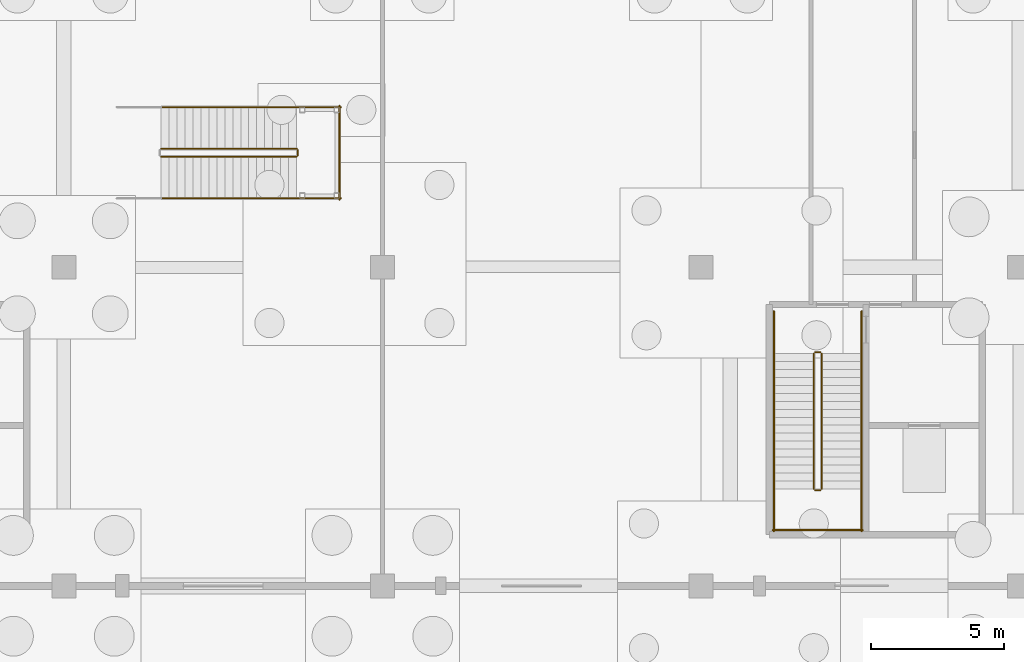
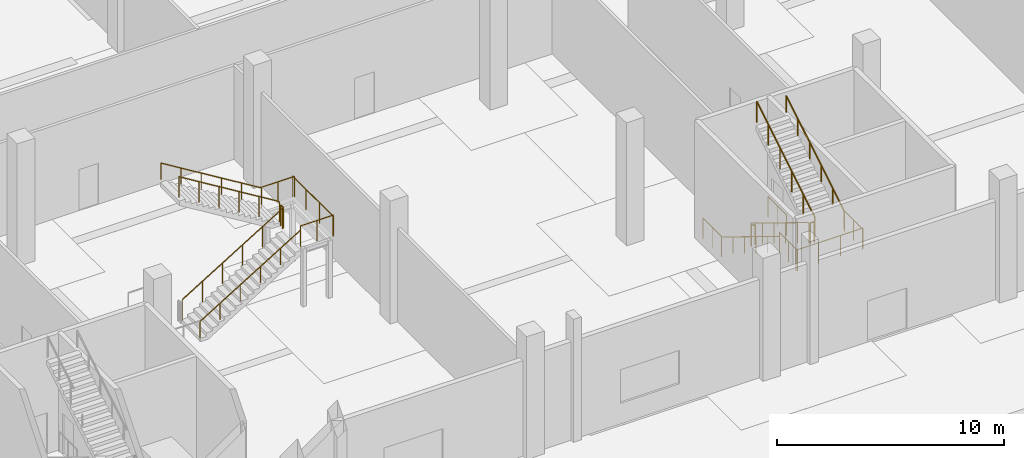
# One storey, part 108 of 117: 19 railings.
"""IFC4 building model written with IfcOpenShell, lengths in metres."""

from ifc_helpers import new_model, si_unit, direction, frame, origin, origin_2d, place, context, subcontext, project, spatial, circle, extrude, material, type_object, element, save


model = new_model("IFC4")

# Units and contexts
model_context = context("Model", 3, precision=1e-05, world=origin(), true_north=direction((0.0, 1.0)))
body_context = subcontext(model_context, "Body", "Model", "MODEL_VIEW")
ifc_project = project(units=[si_unit("LENGTHUNIT", "METRE"), si_unit("AREAUNIT", "SQUARE_METRE"), si_unit("VOLUMEUNIT", "CUBIC_METRE"), si_unit("PLANEANGLEUNIT", "RADIAN"), si_unit("MASSUNIT", "GRAM", prefix="KILO")], contexts=[model_context])

# Site, building, storey
site_placement = place(None, origin())
site = spatial("IfcSite", under=ifc_project, at=site_placement, CompositionType="ELEMENT")
building_placement = place(site_placement, origin())
building = spatial("IfcBuilding", under=site, at=building_placement, Name="Kamomehara Wholesale Market", CompositionType="ELEMENT")
storey_placement = place(building_placement, origin())
storey = spatial("IfcBuildingStorey", under=building, at=storey_placement, Name="L00", CompositionType="ELEMENT", Elevation=0.0)

# Railings
ifc_material_1 = material(Name="Steel SN400B", Category="steel")
railing_type_1 = type_object("IfcRailingType", Name="RAL-HND-900", PredefinedType="HANDRAIL", material=ifc_material_1)
railing_1_placement = place(storey_placement, frame((146.75, 20.75, 0.183349609375)))
element("IfcRailing", 1, at=railing_1_placement, inside=storey, type_object=railing_type_1, Name="L00 ST-08 stair handrail 1", PredefinedType="HANDRAIL", context=body_context, shape_type="SweptSolid", body=[
    extrude(circle(Radius=0.02392578125, at=origin_2d()), frame((0.0, 0.0, 0.8759765625), z_axis=(0.0, -0.853283853024, 0.521446705012), x_axis=(1.0, 0.0, 0.0)), (0.0, 0.0, 1.0), 5.97705078125),
    extrude(circle(Radius=0.02099609375, at=origin_2d()), origin(), (0.0, 0.0, 1.0), 0.851806640625),
    extrude(circle(Radius=0.02099609375, at=origin_2d()), frame((0.0, -1.02001953125, 0.623291015625)), (0.0, 0.0, 1.0), 0.851806640625),
    extrude(circle(Radius=0.02099609375, at=origin_2d()), frame((0.0, -2.0400390625, 1.24658203125)), (0.0, 0.0, 1.0), 0.851806640625),
    extrude(circle(Radius=0.02099609375, at=origin_2d()), frame((0.0, -3.06005859375, 1.8701171875)), (0.0, 0.0, 1.0), 0.851806640625),
    extrude(circle(Radius=0.02099609375, at=origin_2d()), frame((0.0, -4.080078125, 2.493408203125)), (0.0, 0.0, 1.0), 0.851806640625),
    extrude(circle(Radius=0.02099609375, at=origin_2d()), frame((0.0, -5.10009765625, 3.11669921875)), (0.0, 0.0, 1.0), 0.851806640625),
])
railing_2_placement = place(storey_placement, frame((150.050048828125, 15.64990234375, 3.4833984375)))
element("IfcRailing", 2, at=railing_2_placement, inside=storey, type_object=railing_type_1, Name="L00 ST-08 stair handrail 2", PredefinedType="HANDRAIL", context=body_context, shape_type="SweptSolid", body=[
    extrude(circle(Radius=0.02392578125, at=origin_2d()), frame((0.0, 0.0, 0.8759765625), z_axis=(0.0, 0.853283853024, 0.521446705012), x_axis=(-1.0, 0.0, 0.0)), (0.0, 0.0, 1.0), 5.97705078125),
    extrude(circle(Radius=0.02099609375, at=origin_2d()), origin(), (0.0, 0.0, 1.0), 0.851806640625),
    extrude(circle(Radius=0.02099609375, at=origin_2d()), frame((0.0, 1.02001953125, 0.623291015625)), (0.0, 0.0, 1.0), 0.851806640625),
    extrude(circle(Radius=0.02099609375, at=origin_2d()), frame((0.0, 2.0400390625, 1.24658203125)), (0.0, 0.0, 1.0), 0.851806640625),
    extrude(circle(Radius=0.02099609375, at=origin_2d()), frame((0.0, 3.06005859375, 1.8701171875)), (0.0, 0.0, 1.0), 0.851806640625),
    extrude(circle(Radius=0.02099609375, at=origin_2d()), frame((0.0, 4.080078125, 2.493408203125)), (0.0, 0.0, 1.0), 0.851806640625),
    extrude(circle(Radius=0.02099609375, at=origin_2d()), frame((0.0, 5.10009765625, 3.11669921875)), (0.0, 0.0, 1.0), 0.851806640625),
])
railing_3_placement = place(storey_placement, frame((123.6650390625, 26.60009765625, 0.183349609375)))
element("IfcRailing", 3, at=railing_3_placement, inside=storey, type_object=railing_type_1, Name="L00 ST-17 stair handrail 1", PredefinedType="HANDRAIL", context=body_context, shape_type="SweptSolid", body=[
    extrude(circle(Radius=0.02392578125, at=origin_2d()), frame((0.0, 0.0, 0.8759765625), z_axis=(0.853272746002, 0.0, 0.521464879863), x_axis=(0.0, 1.0, 0.0)), (0.0, 0.0, 1.0), 5.976806640625),
    extrude(circle(Radius=0.02099609375, at=origin_2d()), origin(), (0.0, 0.0, 1.0), 0.851806640625),
    extrude(circle(Radius=0.02099609375, at=origin_2d()), frame((1.02001953125, 0.0, 0.623291015625)), (0.0, 0.0, 1.0), 0.851806640625),
    extrude(circle(Radius=0.02099609375, at=origin_2d()), frame((2.0400390625, 0.0, 1.24658203125)), (0.0, 0.0, 1.0), 0.851806640625),
    extrude(circle(Radius=0.02099609375, at=origin_2d()), frame((3.059814453125, 0.0, 1.8701171875)), (0.0, 0.0, 1.0), 0.851806640625),
    extrude(circle(Radius=0.02099609375, at=origin_2d()), frame((4.079833984375, 0.0, 2.493408203125)), (0.0, 0.0, 1.0), 0.851806640625),
    extrude(circle(Radius=0.02099609375, at=origin_2d()), frame((5.099853515625, 0.0, 3.11669921875)), (0.0, 0.0, 1.0), 0.851806640625),
])
railing_4_placement = place(storey_placement, frame((128.764892578125, 30.030029296875, 3.4833984375)))
element("IfcRailing", 4, at=railing_4_placement, inside=storey, type_object=railing_type_1, Name="L00 ST-17 stair handrail 2", PredefinedType="HANDRAIL", context=body_context, shape_type="SweptSolid", body=[
    extrude(circle(Radius=0.02392578125, at=origin_2d()), frame((0.0, 0.0, 0.8759765625), z_axis=(-0.853272746002, 0.0, 0.521464879863), x_axis=(0.0, -1.0, 0.0)), (0.0, 0.0, 1.0), 5.976806640625),
    extrude(circle(Radius=0.02099609375, at=origin_2d()), origin(), (0.0, 0.0, 1.0), 0.851806640625),
    extrude(circle(Radius=0.02099609375, at=origin_2d()), frame((-1.02001953125, 0.0, 0.623291015625)), (0.0, 0.0, 1.0), 0.851806640625),
    extrude(circle(Radius=0.02099609375, at=origin_2d()), frame((-2.0400390625, 0.0, 1.24658203125)), (0.0, 0.0, 1.0), 0.851806640625),
    extrude(circle(Radius=0.02099609375, at=origin_2d()), frame((-3.059814453125, 0.0, 1.8701171875)), (0.0, 0.0, 1.0), 0.851806640625),
    extrude(circle(Radius=0.02099609375, at=origin_2d()), frame((-4.079833984375, 0.0, 2.493408203125)), (0.0, 0.0, 1.0), 0.851806640625),
    extrude(circle(Radius=0.02099609375, at=origin_2d()), frame((-5.099853515625, 0.0, 3.11669921875)), (0.0, 0.0, 1.0), 0.851806640625),
])
ifc_material_2 = material(Name="Steel SN400B", Category="steel")
railing_type_2 = type_object("IfcRailingType", Name="RAL-INT-1100", PredefinedType="BALUSTRADE", material=ifc_material_2)
railing_5_placement = place(storey_placement, frame((148.25, 20.75, 0.183349609375)))
element("IfcRailing", 5, at=railing_5_placement, inside=storey, type_object=railing_type_2, Name="L00 ST-08 stair guard 1", PredefinedType="BALUSTRADE", context=body_context, shape_type="SweptSolid", body=[
    extrude(circle(Radius=0.02392578125, at=origin_2d()), frame((0.0, 0.0, 1.09619140625), z_axis=(0.0, -0.853283853024, 0.521446705012), x_axis=(1.0, 0.0, 0.0)), (0.0, 0.0, 1.0), 5.97705078125),
    extrude(circle(Radius=0.02099609375, at=origin_2d()), origin(), (0.0, 0.0, 1.0), 1.072021484375),
    extrude(circle(Radius=0.02099609375, at=origin_2d()), frame((0.0, -1.02001953125, 0.623291015625)), (0.0, 0.0, 1.0), 1.072021484375),
    extrude(circle(Radius=0.02099609375, at=origin_2d()), frame((0.0, -2.0400390625, 1.24658203125)), (0.0, 0.0, 1.0), 1.072021484375),
    extrude(circle(Radius=0.02099609375, at=origin_2d()), frame((0.0, -3.06005859375, 1.8701171875)), (0.0, 0.0, 1.0), 1.072021484375),
    extrude(circle(Radius=0.02099609375, at=origin_2d()), frame((0.0, -4.080078125, 2.493408203125)), (0.0, 0.0, 1.0), 1.072021484375),
    extrude(circle(Radius=0.02099609375, at=origin_2d()), frame((0.0, -5.10009765625, 3.11669921875)), (0.0, 0.0, 1.0), 1.072021484375),
])
railing_6_placement = place(storey_placement, frame((148.300048828125, 15.60009765625, 3.300048828125)))
element("IfcRailing", 6, at=railing_6_placement, inside=storey, type_object=railing_type_2, Name="L00 ST-08 stair guard 2", PredefinedType="BALUSTRADE", context=body_context, shape_type="SweptSolid", body=[
    extrude(circle(Radius=0.02392578125, at=origin_2d()), frame((0.0, 0.0, 1.09619140625), z_axis=(1.0, 0.0, 0.0), x_axis=(0.0, 1.0, 0.0)), (0.0, 0.0, 1.0), 0.199951171875),
    extrude(circle(Radius=0.02099609375, at=origin_2d()), origin(), (0.0, 0.0, 1.0), 1.072021484375),
    extrude(circle(Radius=0.02099609375, at=origin_2d()), frame((0.199951171875, 0.0, 0.0)), (0.0, 0.0, 1.0), 1.072021484375),
])
for number, where, name in (
    (7, (146.75, 15.64990234375, 3.300048828125), "L00 ST-08 stair guard 3"),
    (8, (150.050048828125, 15.64990234375, 3.300048828125), "L00 ST-08 stair guard 4"),
):
    element("IfcRailing", number, at=place(storey_placement, frame(where)), inside=storey, type_object=railing_type_2, Name=name, PredefinedType="BALUSTRADE", context=body_context, shape_type="SweptSolid", body=[
        extrude(circle(Radius=0.02392578125, at=origin_2d()), frame((0.0, 0.0, 1.09619140625), z_axis=(0.0, -1.0, 0.0), x_axis=(1.0, 0.0, 0.0)), (0.0, 0.0, 1.0), 1.599853515625),
        extrude(circle(Radius=0.02099609375, at=origin_2d()), origin(), (0.0, 0.0, 1.0), 1.072021484375),
        extrude(circle(Radius=0.02099609375, at=origin_2d()), frame((0.0, -0.7998046875, 0.0)), (0.0, 0.0, 1.0), 1.072021484375),
        extrude(circle(Radius=0.02099609375, at=origin_2d()), frame((0.0, -1.599853515625, 0.0)), (0.0, 0.0, 1.0), 1.072021484375),
    ])
railing_7_placement = place(storey_placement, frame((146.699951171875, 14.10009765625, 3.300048828125)))
element("IfcRailing", 9, at=railing_7_placement, inside=storey, type_object=railing_type_2, Name="L00 ST-08 stair guard 5", PredefinedType="BALUSTRADE", context=body_context, shape_type="SweptSolid", body=[
    extrude(circle(Radius=0.02392578125, at=origin_2d()), frame((0.0, 0.0, 1.09619140625), z_axis=(1.0, 0.0, 0.0), x_axis=(0.0, 1.0, 0.0)), (0.0, 0.0, 1.0), 3.400146484375),
    extrude(circle(Radius=0.02099609375, at=origin_2d()), origin(), (0.0, 0.0, 1.0), 1.072021484375),
    extrude(circle(Radius=0.02099609375, at=origin_2d()), frame((1.13330078125, 0.0, 0.0)), (0.0, 0.0, 1.0), 1.072021484375),
    extrude(circle(Radius=0.02099609375, at=origin_2d()), frame((2.266845703125, 0.0, 0.0)), (0.0, 0.0, 1.0), 1.072021484375),
    extrude(circle(Radius=0.02099609375, at=origin_2d()), frame((3.400146484375, 0.0, 0.0)), (0.0, 0.0, 1.0), 1.072021484375),
])
railing_8_placement = place(storey_placement, frame((148.550048828125, 15.64990234375, 3.4833984375)))
element("IfcRailing", 10, at=railing_8_placement, inside=storey, type_object=railing_type_2, Name="L00 ST-08 stair guard 6", PredefinedType="BALUSTRADE", context=body_context, shape_type="SweptSolid", body=[
    extrude(circle(Radius=0.02392578125, at=origin_2d()), frame((0.0, 0.0, 1.09619140625), z_axis=(0.0, 0.853283853024, 0.521446705012), x_axis=(-1.0, 0.0, 0.0)), (0.0, 0.0, 1.0), 5.97705078125),
    extrude(circle(Radius=0.02099609375, at=origin_2d()), origin(), (0.0, 0.0, 1.0), 1.072021484375),
    extrude(circle(Radius=0.02099609375, at=origin_2d()), frame((0.0, 1.02001953125, 0.623291015625)), (0.0, 0.0, 1.0), 1.072021484375),
    extrude(circle(Radius=0.02099609375, at=origin_2d()), frame((0.0, 2.0400390625, 1.24658203125)), (0.0, 0.0, 1.0), 1.072021484375),
    extrude(circle(Radius=0.02099609375, at=origin_2d()), frame((0.0, 3.06005859375, 1.8701171875)), (0.0, 0.0, 1.0), 1.072021484375),
    extrude(circle(Radius=0.02099609375, at=origin_2d()), frame((0.0, 4.080078125, 2.493408203125)), (0.0, 0.0, 1.0), 1.072021484375),
    extrude(circle(Radius=0.02099609375, at=origin_2d()), frame((0.0, 5.10009765625, 3.11669921875)), (0.0, 0.0, 1.0), 1.072021484375),
])
railing_9_placement = place(storey_placement, frame((148.300048828125, 20.800048828125, 0.0)))
element("IfcRailing", 11, at=railing_9_placement, inside=storey, type_object=railing_type_2, Name="L00 ST-08 stair guard 7", PredefinedType="BALUSTRADE", context=body_context, shape_type="SweptSolid", body=[
    extrude(circle(Radius=0.02392578125, at=origin_2d()), frame((0.0, 0.0, 1.09619140625), z_axis=(1.0, 0.0, 0.0), x_axis=(0.0, 1.0, 0.0)), (0.0, 0.0, 1.0), 0.199951171875),
    extrude(circle(Radius=0.02099609375, at=origin_2d()), origin(), (0.0, 0.0, 1.0), 1.072021484375),
    extrude(circle(Radius=0.02099609375, at=origin_2d()), frame((0.199951171875, 0.0, 0.0)), (0.0, 0.0, 1.0), 1.072021484375),
])
for number, where, name in (
    (12, (146.75, 22.35009765625, 0.0), "L00 ST-08 stair guard 8"),
    (13, (150.050048828125, 22.35009765625, 0.0), "L00 ST-08 stair guard 9"),
):
    element("IfcRailing", number, at=place(storey_placement, frame(where)), inside=storey, type_object=railing_type_2, Name=name, PredefinedType="BALUSTRADE", context=body_context, shape_type="SweptSolid", body=[
        extrude(circle(Radius=0.02392578125, at=origin_2d()), frame((0.0, 0.0, 1.09619140625), z_axis=(0.0, -1.0, 0.0), x_axis=(1.0, 0.0, 0.0)), (0.0, 0.0, 1.0), 1.60009765625),
        extrude(circle(Radius=0.02099609375, at=origin_2d()), origin(), (0.0, 0.0, 1.0), 1.072021484375),
        extrude(circle(Radius=0.02099609375, at=origin_2d()), frame((0.0, -0.800048828125, 0.0)), (0.0, 0.0, 1.0), 1.072021484375),
        extrude(circle(Radius=0.02099609375, at=origin_2d()), frame((0.0, -1.60009765625, 0.0)), (0.0, 0.0, 1.0), 1.072021484375),
    ])
railing_10_placement = place(storey_placement, frame((123.6650390625, 28.1650390625, 0.183349609375)))
element("IfcRailing", 14, at=railing_10_placement, inside=storey, type_object=railing_type_2, Name="L00 ST-17 stair guard 1", PredefinedType="BALUSTRADE", context=body_context, shape_type="SweptSolid", body=[
    extrude(circle(Radius=0.02392578125, at=origin_2d()), frame((0.0, 0.0, 1.09619140625), z_axis=(0.853272746002, 0.0, 0.521464879863), x_axis=(0.0, 1.0, 0.0)), (0.0, 0.0, 1.0), 5.976806640625),
    extrude(circle(Radius=0.02099609375, at=origin_2d()), origin(), (0.0, 0.0, 1.0), 1.072021484375),
    extrude(circle(Radius=0.02099609375, at=origin_2d()), frame((1.02001953125, 0.0, 0.623291015625)), (0.0, 0.0, 1.0), 1.072021484375),
    extrude(circle(Radius=0.02099609375, at=origin_2d()), frame((2.0400390625, 0.0, 1.24658203125)), (0.0, 0.0, 1.0), 1.072021484375),
    extrude(circle(Radius=0.02099609375, at=origin_2d()), frame((3.059814453125, 0.0, 1.8701171875)), (0.0, 0.0, 1.0), 1.072021484375),
    extrude(circle(Radius=0.02099609375, at=origin_2d()), frame((4.079833984375, 0.0, 2.493408203125)), (0.0, 0.0, 1.0), 1.072021484375),
    extrude(circle(Radius=0.02099609375, at=origin_2d()), frame((5.099853515625, 0.0, 3.11669921875)), (0.0, 0.0, 1.0), 1.072021484375),
])
railing_11_placement = place(storey_placement, frame((128.81494140625, 28.215087890625, 3.300048828125)))
element("IfcRailing", 15, at=railing_11_placement, inside=storey, type_object=railing_type_2, Name="L00 ST-17 stair guard 2", PredefinedType="BALUSTRADE", context=body_context, shape_type="SweptSolid", body=[
    extrude(circle(Radius=0.02392578125, at=origin_2d()), frame((0.0, 0.0, 1.09619140625), z_axis=(0.0, 1.0, 0.0), x_axis=(-1.0, 0.0, 0.0)), (0.0, 0.0, 1.0), 0.199951171875),
    extrude(circle(Radius=0.02099609375, at=origin_2d()), origin(), (0.0, 0.0, 1.0), 1.072021484375),
    extrude(circle(Radius=0.02099609375, at=origin_2d()), frame((0.0, 0.199951171875, 0.0)), (0.0, 0.0, 1.0), 1.072021484375),
])
for number, where, name in (
    (16, (128.764892578125, 26.60009765625, 3.300048828125), "L00 ST-17 stair guard 3"),
    (17, (128.764892578125, 30.030029296875, 3.300048828125), "L00 ST-17 stair guard 4"),
):
    element("IfcRailing", number, at=place(storey_placement, frame(where)), inside=storey, type_object=railing_type_2, Name=name, PredefinedType="BALUSTRADE", context=body_context, shape_type="SweptSolid", body=[
        extrude(circle(Radius=0.02392578125, at=origin_2d()), frame((0.0, 0.0, 1.09619140625), z_axis=(1.0, 0.0, 0.0), x_axis=(0.0, 1.0, 0.0)), (0.0, 0.0, 1.0), 1.6650390625),
        extrude(circle(Radius=0.02099609375, at=origin_2d()), origin(), (0.0, 0.0, 1.0), 1.072021484375),
        extrude(circle(Radius=0.02099609375, at=origin_2d()), frame((0.83251953125, 0.0, 0.0)), (0.0, 0.0, 1.0), 1.072021484375),
        extrude(circle(Radius=0.02099609375, at=origin_2d()), frame((1.6650390625, 0.0, 0.0)), (0.0, 0.0, 1.0), 1.072021484375),
    ])
railing_12_placement = place(storey_placement, frame((130.3798828125, 26.550048828125, 3.300048828125)))
element("IfcRailing", 18, at=railing_12_placement, inside=storey, type_object=railing_type_2, Name="L00 ST-17 stair guard 5", PredefinedType="BALUSTRADE", context=body_context, shape_type="SweptSolid", body=[
    extrude(circle(Radius=0.02392578125, at=origin_2d()), frame((0.0, 0.0, 1.09619140625), z_axis=(0.0, 1.0, 0.0), x_axis=(-1.0, 0.0, 0.0)), (0.0, 0.0, 1.0), 3.530029296875),
    extrude(circle(Radius=0.02099609375, at=origin_2d()), origin(), (0.0, 0.0, 1.0), 1.072021484375),
    extrude(circle(Radius=0.02099609375, at=origin_2d()), frame((0.0, 1.1767578125, 0.0)), (0.0, 0.0, 1.0), 1.072021484375),
    extrude(circle(Radius=0.02099609375, at=origin_2d()), frame((0.0, 2.353271484375, 0.0)), (0.0, 0.0, 1.0), 1.072021484375),
    extrude(circle(Radius=0.02099609375, at=origin_2d()), frame((0.0, 3.530029296875, 0.0)), (0.0, 0.0, 1.0), 1.072021484375),
])
railing_13_placement = place(storey_placement, frame((128.764892578125, 28.465087890625, 3.4833984375)))
element("IfcRailing", 19, at=railing_13_placement, inside=storey, type_object=railing_type_2, Name="L00 ST-17 stair guard 6", PredefinedType="BALUSTRADE", context=body_context, shape_type="SweptSolid", body=[
    extrude(circle(Radius=0.02392578125, at=origin_2d()), frame((0.0, 0.0, 1.09619140625), z_axis=(-0.853272746002, 0.0, 0.521464879863), x_axis=(0.0, -1.0, 0.0)), (0.0, 0.0, 1.0), 5.976806640625),
    extrude(circle(Radius=0.02099609375, at=origin_2d()), origin(), (0.0, 0.0, 1.0), 1.072021484375),
    extrude(circle(Radius=0.02099609375, at=origin_2d()), frame((-1.02001953125, 0.0, 0.623291015625)), (0.0, 0.0, 1.0), 1.072021484375),
    extrude(circle(Radius=0.02099609375, at=origin_2d()), frame((-2.0400390625, 0.0, 1.24658203125)), (0.0, 0.0, 1.0), 1.072021484375),
    extrude(circle(Radius=0.02099609375, at=origin_2d()), frame((-3.059814453125, 0.0, 1.8701171875)), (0.0, 0.0, 1.0), 1.072021484375),
    extrude(circle(Radius=0.02099609375, at=origin_2d()), frame((-4.079833984375, 0.0, 2.493408203125)), (0.0, 0.0, 1.0), 1.072021484375),
    extrude(circle(Radius=0.02099609375, at=origin_2d()), frame((-5.099853515625, 0.0, 3.11669921875)), (0.0, 0.0, 1.0), 1.072021484375),
])

save(model, "model.ifc")
